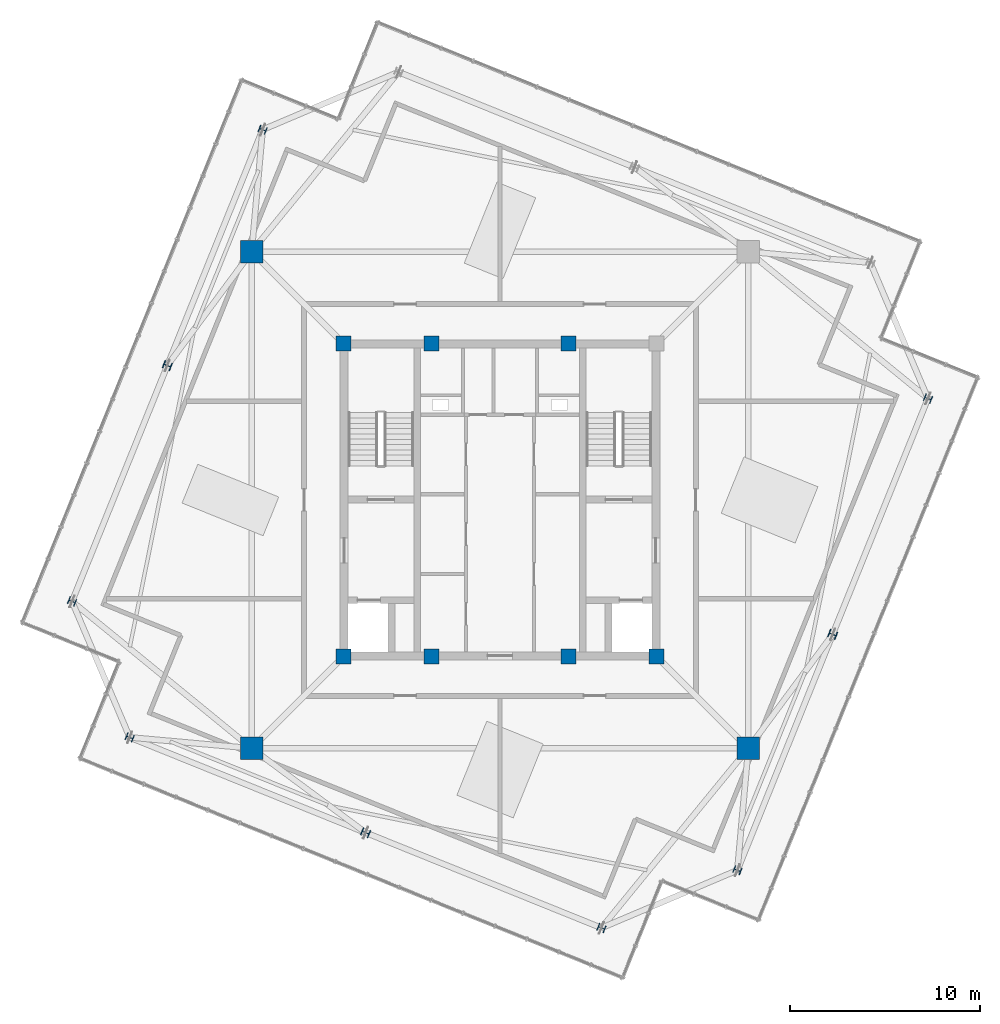
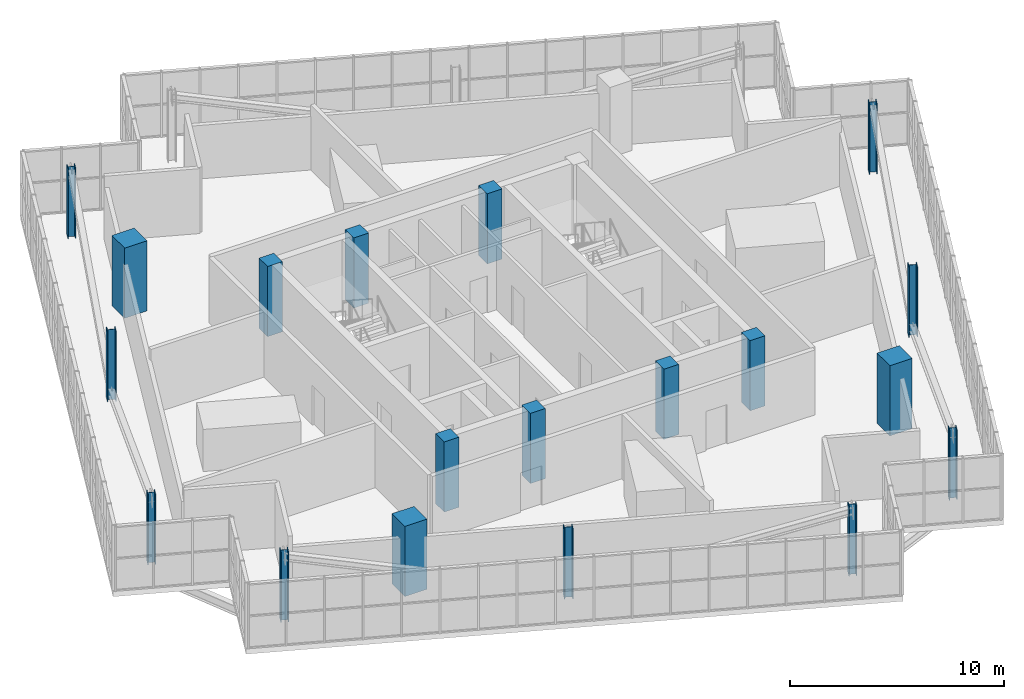
# One storey, part 1 of 26: 19 columns.
"""IFC4 building model written with IfcOpenShell, lengths in metres."""

from ifc_helpers import new_model, si_unit, direction, frame, origin, origin_2d, place, context, subcontext, project, spatial, rectangle, i_section, extrude, source, transform, mapped, material, material_profile, profile_set, type_object, element, save


model = new_model("IFC4")

# Units and contexts
model_context = context("Model", 3, precision=1e-05, world=origin(), true_north=direction((0.0, 1.0)))
body_context = subcontext(model_context, "Body", "Model", "MODEL_VIEW")
ifc_project = project(units=[si_unit("LENGTHUNIT", "METRE"), si_unit("AREAUNIT", "SQUARE_METRE"), si_unit("VOLUMEUNIT", "CUBIC_METRE"), si_unit("PLANEANGLEUNIT", "RADIAN"), si_unit("MASSUNIT", "GRAM", prefix="KILO"), si_unit("THERMODYNAMICTEMPERATUREUNIT", "KELVIN")], contexts=[model_context])

# Site, building, storey
site_placement = place(None, origin())
site = spatial("IfcSite", under=ifc_project, at=site_placement, CompositionType="ELEMENT")
building_placement = place(site_placement, origin())
building = spatial("IfcBuilding", under=site, at=building_placement, Name="Kosmvard Interchange Tower", CompositionType="ELEMENT")
storey_placement = place(building_placement, frame((0.0, 0.0, 325.60009765625)))
storey = spatial("IfcBuildingStorey", under=building, at=storey_placement, Name="L80", CompositionType="ELEMENT", Elevation=325.60009765625)

# Columns
ifc_material_1 = material(Name="Concrete C50/60", Category="concrete")
ifc_material_profile_1 = material_profile(ifc_material_1, rectangle(XDim=0.800048828125, YDim=0.800048828125, at=origin_2d()), Name="CP 800x800")
ifc_profile_set_1 = profile_set([ifc_material_profile_1], Name="Concrete C50/60")
column_type_1 = type_object("IfcColumnType", Name="Core Boundary Pilaster 800x800 C50/60", PredefinedType="PILASTER", material=ifc_profile_set_1)
shared_shape_1 = source(origin(), body_context, "Body", "SweptSolid", [
    extrude(rectangle(XDim=0.800048828125, YDim=0.800048828125, at=origin_2d()), origin(), (0.0, 0.0, 1.0), 4.0),
])
for number, where, z_axis, x_axis, name in (
    (1, (-8.25, -8.25, 0.0), (0.0, 0.0, 1.0), (1.0, 0.0, 0.0), "L80 Core Pilaster CP1"),
    (2, (8.25, -8.25, 0.0), (0.0, 0.0, 1.0), (1.0, 0.0, 0.0), "L80 Core Pilaster CP2"),
    (3, (-8.25, 8.25, 0.0), (0.0, 0.0, 1.0), (1.0, 0.0, 0.0), "L80 Core Pilaster CP4"),
    (4, (-3.60009765625, -8.25, 0.0), (0.0, 0.0, 1.0), (1.0, 0.0, 0.0), "L80 Core Pilaster CP5"),
    (5, (3.60009765625, -8.25, 0.0), (0.0, 0.0, 1.0), (1.0, 0.0, 0.0), "L80 Core Pilaster CP6"),
    (6, (-3.60009765625, 8.25, 0.0), (0.0, 0.0, 1.0), (1.0, 0.0, 0.0), "L80 Core Pilaster CP7"),
    (7, (3.60009765625, 8.25, 0.0), (0.0, 0.0, 1.0), (1.0, 0.0, 0.0), "L80 Core Pilaster CP8"),
):
    element("IfcColumn", number, at=place(storey_placement, frame(where, z_axis=z_axis, x_axis=x_axis)), inside=storey, type_object=column_type_1, Name=name, PredefinedType="PILASTER", context=body_context, shape_type="MappedRepresentation", body=[
        mapped(shared_shape_1, transform((0.0, 0.0, 0.0), scale=1.0)),
    ])
ifc_material_profile_2 = material_profile(ifc_material_1, rectangle(XDim=1.199951171875, YDim=1.199951171875, at=origin_2d()), Name="MC 1200x1200")
ifc_profile_set_2 = profile_set([ifc_material_profile_2], Name="Concrete C50/60")
column_type_2 = type_object("IfcColumnType", Name="Composite Mega-Column 1200x1200 C50/60", PredefinedType="COLUMN", material=ifc_profile_set_2)
shared_shape_2 = source(origin(), body_context, "Body", "SweptSolid", [
    extrude(rectangle(XDim=1.199951171875, YDim=1.199951171875, at=origin_2d()), origin(), (0.0, 0.0, 1.0), 4.0),
])
for number, where, z_axis, x_axis, name in (
    (8, (-13.0810546875, -13.0810546875, 0.0), (0.0, 0.0, 1.0), (1.0, 0.0, 0.0), "L80 Corner Mega-Column MC1"),
    (9, (13.0810546875, -13.0810546875, 0.0), (0.0, 0.0, 1.0), (1.0, 0.0, 0.0), "L80 Corner Mega-Column MC2"),
    (10, (-13.0810546875, 13.0810546875, 0.0), (0.0, 0.0, 1.0), (1.0, 0.0, 0.0), "L80 Corner Mega-Column MC4"),
):
    element("IfcColumn", number, at=place(storey_placement, frame(where, z_axis=z_axis, x_axis=x_axis)), inside=storey, type_object=column_type_2, Name=name, PredefinedType="COLUMN", context=body_context, shape_type="MappedRepresentation", body=[
        mapped(shared_shape_2, transform((0.0, 0.0, 0.0), scale=1.0)),
    ])
ifc_material_2 = material(Name="Steel S355", Category="steel")
ifc_material_profile_3 = material_profile(ifc_material_2, i_section(OverallWidth=0.3759765625, OverallDepth=0.386962890625, WebThickness=0.01953125, FlangeThickness=0.031982421875, FilletRadius=0.014892578125, at=origin_2d()), Name="HD 360x329")
ifc_profile_set_3 = profile_set([ifc_material_profile_3], Name="Steel S355")
column_type_3 = type_object("IfcColumnType", Name="Crown Lantern Corner Post HD 360x329 S355", PredefinedType="COLUMN", material=ifc_profile_set_3)
shared_shape_3 = source(origin(), body_context, "Body", "SweptSolid", [
    extrude(i_section(OverallWidth=0.3759765625, OverallDepth=0.386962890625, WebThickness=0.01953125, FlangeThickness=0.031982421875, FilletRadius=0.014892578125, at=origin_2d()), origin(), (0.0, 0.0, 1.0), 4.0),
])
for number, where, z_axis, x_axis, name in (
    (11, (12.504150390625, -19.50439453125, 0.0), (0.0, 0.0, 1.0), (0.374606593416, 0.927183854567, 0.0), "L80 Crown Frame Leg LL-S1"),
    (12, (22.54345703125, 5.34423828125, 0.0), (0.0, 0.0, 1.0), (0.374606593416, 0.927183854567, 0.0), "L80 Crown Frame Leg LL-S3"),
    (13, (-12.504150390625, 19.50439453125, 0.0), (0.0, 0.0, 1.0), (0.374606593416, 0.927183854567, 0.0), "L80 Crown Frame Leg LL-N1"),
    (14, (-22.54345703125, -5.34423828125, 0.0), (0.0, 0.0, 1.0), (0.374606593416, 0.927183854567, 0.0), "L80 Crown Frame Leg LL-N3"),
    (15, (-19.50439453125, -12.504150390625, 0.0), (0.0, 0.0, 1.0), (0.374606593416, 0.927183854567, 0.0), "L80 Crown Frame Leg LL-W1"),
    (16, (5.34423828125, -22.54345703125, 0.0), (0.0, 0.0, 1.0), (0.374606593416, 0.927183854567, 0.0), "L80 Crown Frame Leg LL-W3"),
):
    element("IfcColumn", number, at=place(storey_placement, frame(where, z_axis=z_axis, x_axis=x_axis)), inside=storey, type_object=column_type_3, Name=name, PredefinedType="COLUMN", context=body_context, shape_type="MappedRepresentation", body=[
        mapped(shared_shape_3, transform((0.0, 0.0, 0.0), scale=1.0)),
    ])
ifc_material_profile_4 = material_profile(ifc_material_2, i_section(OverallWidth=0.408935546875, OverallDepth=0.425048828125, WebThickness=0.02392578125, FlangeThickness=0.0390625, FilletRadius=0.014892578125, at=origin_2d()), Name="HD 400x421")
ifc_profile_set_4 = profile_set([ifc_material_profile_4], Name="Steel S355")
column_type_4 = type_object("IfcColumnType", Name="Crown Lantern Frame Leg HD 400x421 S355", PredefinedType="COLUMN", material=ifc_profile_set_4)
shared_shape_4 = source(origin(), body_context, "Body", "SweptSolid", [
    extrude(i_section(OverallWidth=0.408935546875, OverallDepth=0.425048828125, WebThickness=0.02392578125, FlangeThickness=0.0390625, FilletRadius=0.014892578125, at=origin_2d()), origin(), (0.0, 0.0, 1.0), 4.0),
])
for number, where, z_axis, x_axis, name in (
    (17, (17.523681640625, -7.080078125, 0.0), (0.0, 0.0, 1.0), (0.374606593416, 0.927183854567, 0.0), "L80 Crown Frame Leg LL-S2"),
    (18, (-17.523681640625, 7.080078125, 0.0), (0.0, 0.0, 1.0), (0.374606593416, 0.927183854567, 0.0), "L80 Crown Frame Leg LL-N2"),
    (19, (-7.080078125, -17.523681640625, 0.0), (0.0, 0.0, 1.0), (0.374606593416, 0.927183854567, 0.0), "L80 Crown Frame Leg LL-W2"),
):
    element("IfcColumn", number, at=place(storey_placement, frame(where, z_axis=z_axis, x_axis=x_axis)), inside=storey, type_object=column_type_4, Name=name, PredefinedType="COLUMN", context=body_context, shape_type="MappedRepresentation", body=[
        mapped(shared_shape_4, transform((0.0, 0.0, 0.0), scale=1.0)),
    ])

save(model, "model.ifc")
